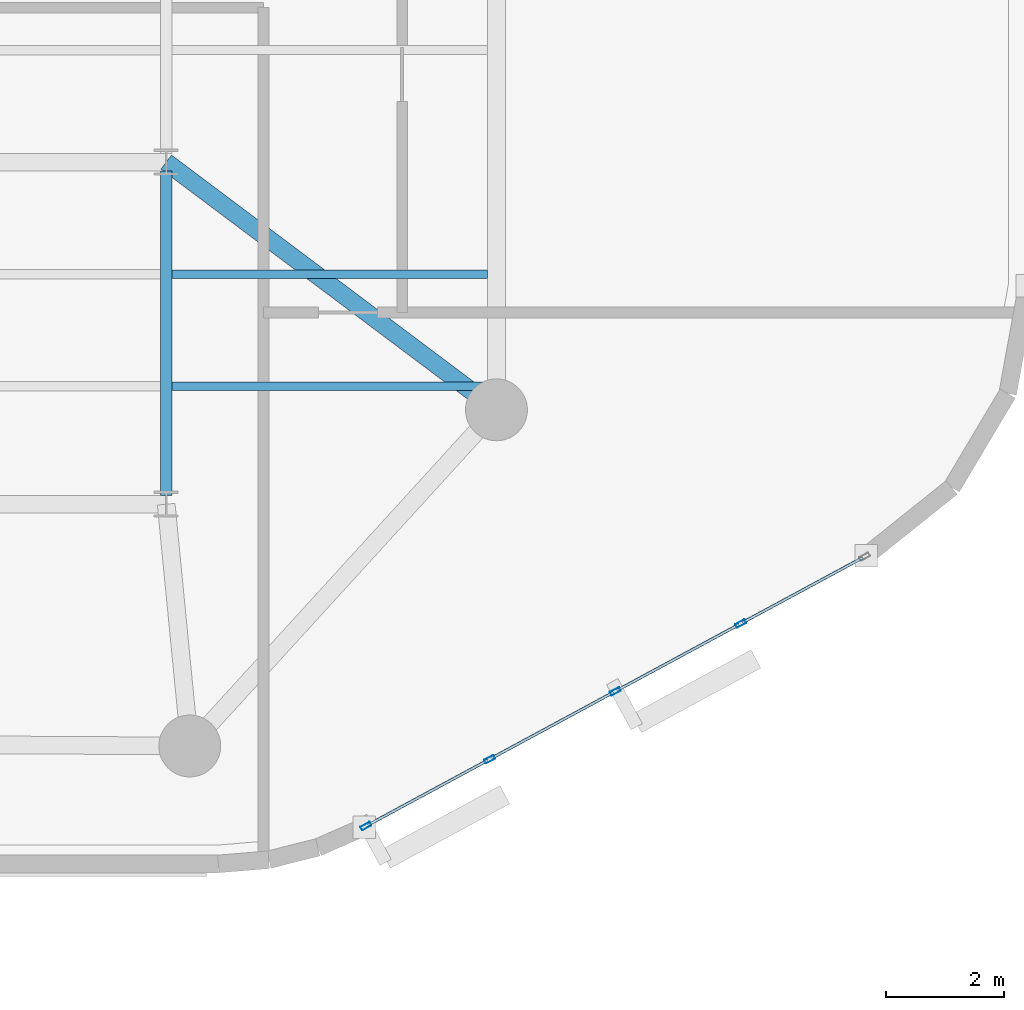
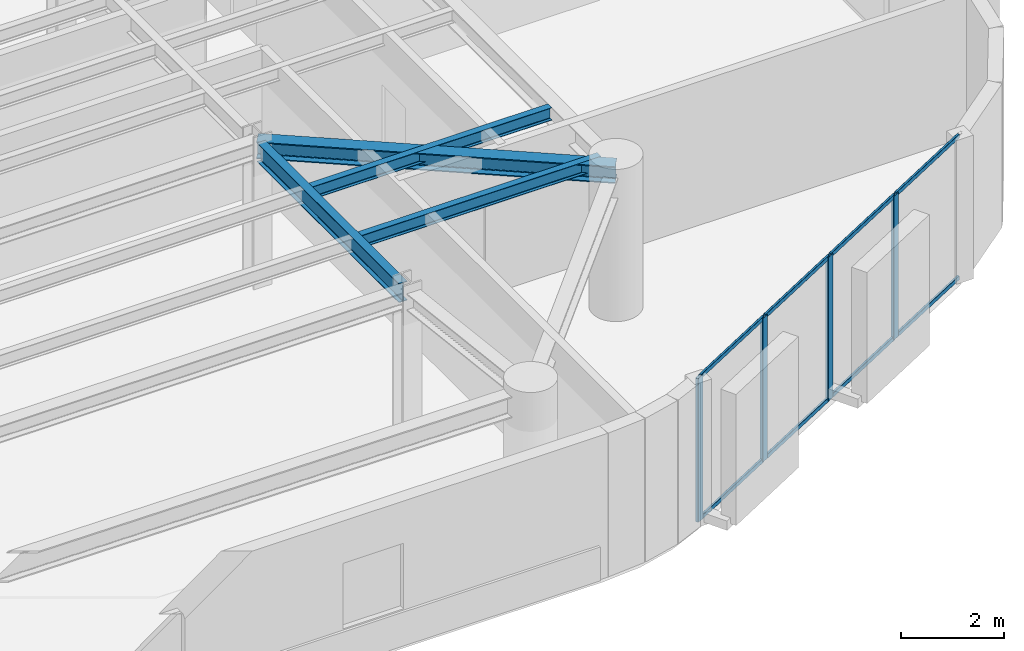
# One storey, part 2 of 13: 12 members, 4 beams, 1 element without a shape of its own.
"""IFC4 building model written with IfcOpenShell, lengths in metres."""

from ifc_helpers import new_model, si_unit, direction, frame, origin, origin_2d, place, context, subcontext, project, spatial, hollow_rectangle, i_section, extrude, material, layer, layer_set, material_profile, profile_set, type_object, element, aggregate, save


model = new_model("IFC4")

# Units and contexts
model_context = context("Model", 3, precision=1e-05, world=origin(), true_north=direction((0.0, 1.0)))
body_context = subcontext(model_context, "Body", "Model", "MODEL_VIEW")
ifc_project = project(units=[si_unit("LENGTHUNIT", "METRE"), si_unit("AREAUNIT", "SQUARE_METRE"), si_unit("VOLUMEUNIT", "CUBIC_METRE"), si_unit("PLANEANGLEUNIT", "RADIAN"), si_unit("MASSUNIT", "GRAM", prefix="KILO")], contexts=[model_context])

# Site, building, storey
site_placement = place(None, origin())
site = spatial("IfcSite", under=ifc_project, at=site_placement, CompositionType="ELEMENT")
building_placement = place(site_placement, origin())
building = spatial("IfcBuilding", under=site, at=building_placement, Name="An Khanh Terracotta Commons", CompositionType="ELEMENT")
storey_placement = place(building_placement, frame((0.0, 0.0, 226.5)))
storey = spatial("IfcBuildingStorey", under=building, at=storey_placement, Name="L59", CompositionType="ELEMENT", Elevation=226.5)

# Beams
ifc_material_1 = material(Name="Steel S355J2", Category="steel")
ifc_material_profile_1 = material_profile(ifc_material_1, i_section(OverallWidth=0.300048828125, OverallDepth=0.39990234375, WebThickness=0.013427734375, FlangeThickness=0.02392578125, FilletRadius=0.027099609375, at=origin_2d()), Name="HEB400")
ifc_profile_set_1 = profile_set([ifc_material_profile_1], Name="Steel S355J2")
beam_type_1 = type_object("IfcBeamType", Name="BM-HEB400", PredefinedType="BEAM", material=ifc_profile_set_1)
beam_1_placement = place(storey_placement, frame((59.60009765625, 16.0, 3.199951171875), z_axis=(-0.800008370399, 0.599988839305, 0.0), x_axis=(-0.599988839305, -0.800008370399, 0.0)))
element("IfcBeam", 1, at=beam_1_placement, inside=storey, type_object=beam_type_1, Name="L59 Mega-Column Tie Girder 3", PredefinedType="BEAM", context=body_context, shape_type="SweptSolid", body=[
    extrude(i_section(OverallWidth=0.300048828125, OverallDepth=0.39990234375, WebThickness=0.013427734375, FlangeThickness=0.02392578125, FilletRadius=0.027099609375, at=origin_2d()), origin(), (0.0, 0.0, 1.0), 7.0),
])
ifc_material_profile_2 = material_profile(ifc_material_1, i_section(OverallWidth=0.14990234375, OverallDepth=0.300048828125, WebThickness=0.007080078125, FlangeThickness=0.0107421875, FilletRadius=0.014892578125, at=origin_2d()), Name="IPE300")
ifc_profile_set_2 = profile_set([ifc_material_profile_2], Name="Steel S355J2")
beam_type_2 = type_object("IfcBeamType", Name="BM-IPE300", PredefinedType="JOIST", material=ifc_profile_set_2)
for number, where, z_axis, x_axis, name in (
    (2, (54.094970703125, 16.39990234375, 3.25), (1.0, 0.0, 0.0), (0.0, 1.0, 0.0), "L59 Riverfront Composite Joist 1"),
    (3, (54.094970703125, 18.300048828125, 3.25), (1.0, 0.0, 0.0), (0.0, 1.0, 0.0), "L59 Riverfront Composite Joist 2"),
):
    element("IfcBeam", number, at=place(storey_placement, frame(where, z_axis=z_axis, x_axis=x_axis)), inside=storey, type_object=beam_type_2, Name=name, PredefinedType="JOIST", context=body_context, shape_type="SweptSolid", body=[
        extrude(i_section(OverallWidth=0.14990234375, OverallDepth=0.300048828125, WebThickness=0.007080078125, FlangeThickness=0.0107421875, FilletRadius=0.014892578125, at=origin_2d()), origin(), (0.0, 0.0, 1.0), 5.35498046875),
    ])
ifc_material_profile_3 = material_profile(ifc_material_1, i_section(OverallWidth=0.18994140625, OverallDepth=0.449951171875, WebThickness=0.009521484375, FlangeThickness=0.0146484375, FilletRadius=0.02099609375, at=origin_2d()), Name="IPE450")
ifc_profile_set_3 = profile_set([ifc_material_profile_3], Name="Steel S355J2")
beam_type_3 = type_object("IfcBeamType", Name="BM-IPE450", PredefinedType="JOIST", material=ifc_profile_set_3)
beam_2_placement = place(storey_placement, frame((54.0, 14.550048828125, 3.175048828125), z_axis=(0.0, 1.0, 0.0), x_axis=(-1.0, 0.0, 0.0)))
element("IfcBeam", 4, at=beam_2_placement, inside=storey, type_object=beam_type_3, Name="L59 East Spine Girder 1", PredefinedType="JOIST", context=body_context, shape_type="SweptSolid", body=[
    extrude(i_section(OverallWidth=0.18994140625, OverallDepth=0.449951171875, WebThickness=0.009521484375, FlangeThickness=0.0146484375, FilletRadius=0.02099609375, at=origin_2d()), origin(), (0.0, 0.0, 1.0), 5.5),
])

# Curtain wall, members
ifc_material_2 = material(Name="Anodised Aluminium 6063-T6", Category="aluminium")
ifc_layer = layer(ifc_material_2, 0.2099609375, Name="Anodised Aluminium 6063-T6")
ifc_layer_set = layer_set([ifc_layer], Name="Anodised Aluminium 6063-T6")
curtain_wall_type = type_object("IfcCurtainWallType", Name="CW-SYS-03", PredefinedType="USERDEFINED", material=ifc_layer_set)
curtain_wall_placement = place(storey_placement, origin())
curtain_wall = element("IfcCurtainWall", 5, at=curtain_wall_placement, inside=storey, type_object=curtain_wall_type, Name="L59 CW-03 Unitised Curtain Wall CW-L59-08", ObjectType="UNITISED CURTAIN WALL", PredefinedType="USERDEFINED")
ifc_material_profile_4 = material_profile(ifc_material_2, hollow_rectangle(XDim=0.070068359375, YDim=0.179931640625, WallThickness=0.00390625, InnerFilletRadius=0.00390625, OuterFilletRadius=0.008056640625, at=origin_2d()), Name="RHS180x70x4")
ifc_profile_set_4 = profile_set([ifc_material_profile_4], Name="Anodised Aluminium 6063-T6")
member_type_1 = type_object("IfcMemberType", Name="CWM-RHS180x70x4", PredefinedType="MULLION", material=ifc_profile_set_4)
member_1_placement = place(storey_placement, frame((57.3876953125, 8.941650390625, 0.0), z_axis=(0.0, 0.0, 1.0), x_axis=(-0.47538088298, 0.879780095306, 0.0)))
member_1 = element("IfcMember", 6, at=member_1_placement, type_object=member_type_1, Name="CW-03 mullion 1", PredefinedType="MULLION", context=body_context, shape_type="SweptSolid", body=[
    extrude(hollow_rectangle(XDim=0.070068359375, YDim=0.179931640625, WallThickness=0.00390625, InnerFilletRadius=0.00390625, OuterFilletRadius=0.008056640625, at=origin_2d()), origin(), (0.0, 0.0, 1.0), 3.39990234375),
])
member_2_placement = place(storey_placement, frame((59.48583984375, 10.0751953125, 0.0), z_axis=(0.0, 0.0, 1.0), x_axis=(-0.47538088298, 0.879780095306, 0.0)))
member_2 = element("IfcMember", 7, at=member_2_placement, type_object=member_type_1, Name="CW-03 mullion 2", PredefinedType="MULLION", context=body_context, shape_type="SweptSolid", body=[
    extrude(hollow_rectangle(XDim=0.070068359375, YDim=0.179931640625, WallThickness=0.00390625, InnerFilletRadius=0.00390625, OuterFilletRadius=0.008056640625, at=origin_2d()), origin(), (0.0, 0.0, 1.0), 3.39990234375),
])
member_3_placement = place(storey_placement, frame((61.614501953125, 11.2255859375, 0.0), z_axis=(0.0, 0.0, 1.0), x_axis=(-0.47538088298, 0.879780095306, 0.0)))
member_3 = element("IfcMember", 8, at=member_3_placement, type_object=member_type_1, Name="CW-03 mullion 3", PredefinedType="MULLION", context=body_context, shape_type="SweptSolid", body=[
    extrude(hollow_rectangle(XDim=0.070068359375, YDim=0.179931640625, WallThickness=0.00390625, InnerFilletRadius=0.00390625, OuterFilletRadius=0.008056640625, at=origin_2d()), origin(), (0.0, 0.0, 1.0), 3.39990234375),
])
member_4_placement = place(storey_placement, frame((63.7431640625, 12.375732421875, 0.0), z_axis=(0.0, 0.0, 1.0), x_axis=(-0.47538088298, 0.879780095306, 0.0)))
member_4 = element("IfcMember", 9, at=member_4_placement, type_object=member_type_1, Name="CW-03 mullion 4", PredefinedType="MULLION", context=body_context, shape_type="SweptSolid", body=[
    extrude(hollow_rectangle(XDim=0.070068359375, YDim=0.179931640625, WallThickness=0.00390625, InnerFilletRadius=0.00390625, OuterFilletRadius=0.008056640625, at=origin_2d()), origin(), (0.0, 0.0, 1.0), 3.39990234375),
])
ifc_material_profile_5 = material_profile(ifc_material_2, hollow_rectangle(XDim=0.050048828125, YDim=0.10009765625, WallThickness=0.003173828125, InnerFilletRadius=0.003173828125, OuterFilletRadius=0.00634765625, at=origin_2d()), Name="RHS100x50x3.2")
ifc_profile_set_5 = profile_set([ifc_material_profile_5], Name="Anodised Aluminium 6063-T6")
member_type_2 = type_object("IfcMemberType", Name="CWT-RHS100x50x3.2", PredefinedType="USERDEFINED", material=ifc_profile_set_5)
member_5_placement = place(storey_placement, frame((57.418701171875, 8.958251953125, 0.02490234375), z_axis=(0.879779245677, 0.475382455373, 0.0), x_axis=(-0.475382455373, 0.879779245677, 0.0)))
member_5 = element("IfcMember", 10, at=member_5_placement, type_object=member_type_2, Name="CW-03 transom 1.1", ObjectType="TRANSOM", PredefinedType="USERDEFINED", context=body_context, shape_type="SweptSolid", body=[
    extrude(hollow_rectangle(XDim=0.050048828125, YDim=0.10009765625, WallThickness=0.003173828125, InnerFilletRadius=0.003173828125, OuterFilletRadius=0.00634765625, at=origin_2d()), origin(), (0.0, 0.0, 1.0), 2.314697265625),
])
member_6_placement = place(storey_placement, frame((57.418701171875, 8.958251953125, 3.375), z_axis=(0.879779245677, 0.475382455373, 0.0), x_axis=(-0.475382455373, 0.879779245677, 0.0)))
member_6 = element("IfcMember", 11, at=member_6_placement, type_object=member_type_2, Name="CW-03 transom 1.2", ObjectType="TRANSOM", PredefinedType="USERDEFINED", context=body_context, shape_type="SweptSolid", body=[
    extrude(hollow_rectangle(XDim=0.050048828125, YDim=0.10009765625, WallThickness=0.003173828125, InnerFilletRadius=0.003173828125, OuterFilletRadius=0.00634765625, at=origin_2d()), origin(), (0.0, 0.0, 1.0), 2.314697265625),
])
member_7_placement = place(storey_placement, frame((59.5166015625, 10.091796875, 0.02490234375), z_axis=(0.879782861449, 0.475375763686, 0.0), x_axis=(-0.475375763686, 0.879782861449, 0.0)))
member_7 = element("IfcMember", 12, at=member_7_placement, type_object=member_type_2, Name="CW-03 transom 2.1", ObjectType="TRANSOM", PredefinedType="USERDEFINED", context=body_context, shape_type="SweptSolid", body=[
    extrude(hollow_rectangle(XDim=0.050048828125, YDim=0.10009765625, WallThickness=0.003173828125, InnerFilletRadius=0.003173828125, OuterFilletRadius=0.00634765625, at=origin_2d()), origin(), (0.0, 0.0, 1.0), 2.349609375),
])
member_8_placement = place(storey_placement, frame((59.5166015625, 10.091796875, 3.375), z_axis=(0.879782861449, 0.475375763686, 0.0), x_axis=(-0.475375763686, 0.879782861449, 0.0)))
member_8 = element("IfcMember", 13, at=member_8_placement, type_object=member_type_2, Name="CW-03 transom 2.2", ObjectType="TRANSOM", PredefinedType="USERDEFINED", context=body_context, shape_type="SweptSolid", body=[
    extrude(hollow_rectangle(XDim=0.050048828125, YDim=0.10009765625, WallThickness=0.003173828125, InnerFilletRadius=0.003173828125, OuterFilletRadius=0.00634765625, at=origin_2d()), origin(), (0.0, 0.0, 1.0), 2.349609375),
])
member_9_placement = place(storey_placement, frame((61.645263671875, 11.2421875, 0.02490234375), z_axis=(0.879782861449, 0.475375763686, 0.0), x_axis=(-0.475375763686, 0.879782861449, 0.0)))
member_9 = element("IfcMember", 14, at=member_9_placement, type_object=member_type_2, Name="CW-03 transom 3.1", ObjectType="TRANSOM", PredefinedType="USERDEFINED", context=body_context, shape_type="SweptSolid", body=[
    extrude(hollow_rectangle(XDim=0.050048828125, YDim=0.10009765625, WallThickness=0.003173828125, InnerFilletRadius=0.003173828125, OuterFilletRadius=0.00634765625, at=origin_2d()), origin(), (0.0, 0.0, 1.0), 2.349609375),
])
member_10_placement = place(storey_placement, frame((61.645263671875, 11.2421875, 3.375), z_axis=(0.879782861449, 0.475375763686, 0.0), x_axis=(-0.475375763686, 0.879782861449, 0.0)))
member_10 = element("IfcMember", 15, at=member_10_placement, type_object=member_type_2, Name="CW-03 transom 3.2", ObjectType="TRANSOM", PredefinedType="USERDEFINED", context=body_context, shape_type="SweptSolid", body=[
    extrude(hollow_rectangle(XDim=0.050048828125, YDim=0.10009765625, WallThickness=0.003173828125, InnerFilletRadius=0.003173828125, OuterFilletRadius=0.00634765625, at=origin_2d()), origin(), (0.0, 0.0, 1.0), 2.349609375),
])
member_11_placement = place(storey_placement, frame((63.77392578125, 12.392333984375, 0.02490234375), z_axis=(0.879779245677, 0.475382455373, 0.0), x_axis=(-0.475382455373, 0.879779245677, 0.0)))
member_11 = element("IfcMember", 16, at=member_11_placement, type_object=member_type_2, Name="CW-03 transom 4.1", ObjectType="TRANSOM", PredefinedType="USERDEFINED", context=body_context, shape_type="SweptSolid", body=[
    extrude(hollow_rectangle(XDim=0.050048828125, YDim=0.10009765625, WallThickness=0.003173828125, InnerFilletRadius=0.003173828125, OuterFilletRadius=0.00634765625, at=origin_2d()), origin(), (0.0, 0.0, 1.0), 2.314697265625),
])
member_12_placement = place(storey_placement, frame((63.77392578125, 12.392333984375, 3.375), z_axis=(0.879779245677, 0.475382455373, 0.0), x_axis=(-0.475382455373, 0.879779245677, 0.0)))
member_12 = element("IfcMember", 17, at=member_12_placement, type_object=member_type_2, Name="CW-03 transom 4.2", ObjectType="TRANSOM", PredefinedType="USERDEFINED", context=body_context, shape_type="SweptSolid", body=[
    extrude(hollow_rectangle(XDim=0.050048828125, YDim=0.10009765625, WallThickness=0.003173828125, InnerFilletRadius=0.003173828125, OuterFilletRadius=0.00634765625, at=origin_2d()), origin(), (0.0, 0.0, 1.0), 2.314697265625),
])
aggregate(curtain_wall, [member_1, member_2, member_3, member_4, member_5, member_6, member_7, member_8, member_9, member_10, member_11, member_12])

save(model, "model.ifc")
